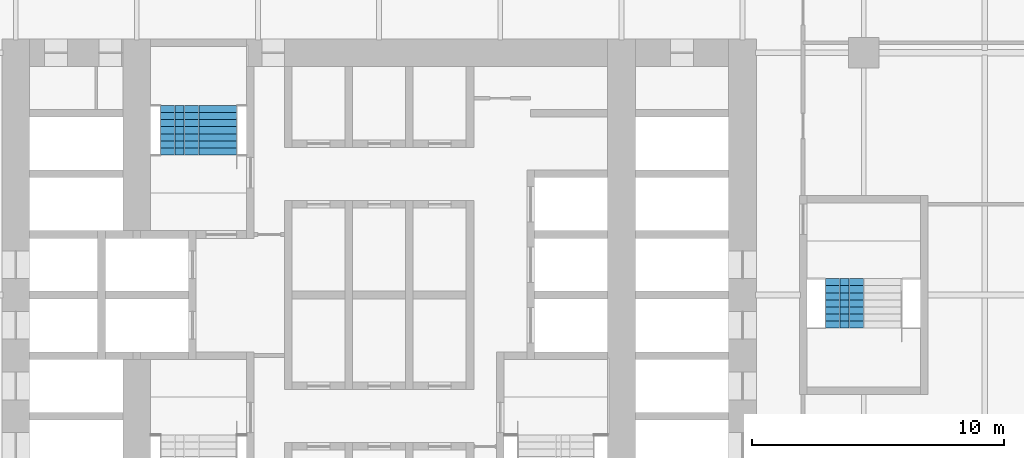
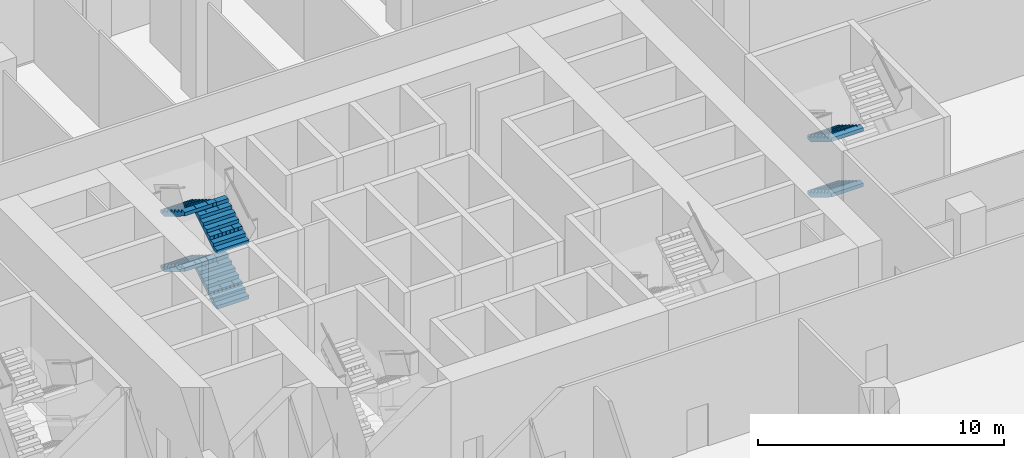
# One storey, part 26 of 30: 6 stair flights, 2 elements without a shape of their own.
"""IFC4 building model written with IfcOpenShell, lengths in metres."""

from ifc_helpers import new_model, si_unit, direction, frame, origin, place, context, subcontext, project, spatial, polyline, outline, extrude, material, type_object, element, aggregate, save


model = new_model("IFC4")

# Units and contexts
model_context = context("Model", 3, precision=1e-05, world=origin(), true_north=direction((0.0, 1.0)))
body_context = subcontext(model_context, "Body", "Model", "MODEL_VIEW")
ifc_project = project(units=[si_unit("LENGTHUNIT", "METRE"), si_unit("AREAUNIT", "SQUARE_METRE"), si_unit("VOLUMEUNIT", "CUBIC_METRE"), si_unit("PLANEANGLEUNIT", "RADIAN"), si_unit("MASSUNIT", "GRAM", prefix="KILO")], contexts=[model_context])

# Site, building, storey
site_placement = place(None, origin())
site = spatial("IfcSite", under=ifc_project, at=site_placement, CompositionType="ELEMENT")
building_placement = place(site_placement, origin())
building = spatial("IfcBuilding", under=site, at=building_placement, Name="Kolab Exchange Tower", CompositionType="ELEMENT")
storey_placement = place(building_placement, frame((0.0, 0.0, 38.89990234375)))
storey = spatial("IfcBuildingStorey", under=building, at=storey_placement, Name="L07", CompositionType="ELEMENT", Elevation=38.89990234375)

# Stair, stair flights
ifc_material = material(Name="Concrete C50/60", Category="concrete")
stair_type_1 = type_object("IfcStairType", Name="STAIR ST1 RISER 171.9", PredefinedType="DOUBLE_RETURN_STAIR", material=ifc_material)
stair_1_placement = place(storey_placement, origin())
stair_1 = element("IfcStair", 1, at=stair_1_placement, inside=storey, type_object=stair_type_1, Name="Stair 1", PredefinedType="DOUBLE_RETURN_STAIR")
stair_flight_type = type_object("IfcStairFlightType", Name="STAIR FLIGHT 1500 RISER 171.9", PredefinedType="STRAIGHT", material=ifc_material)
stair_flight_1_placement = place(storey_placement, frame((-6.389892578125, 5.550048828125, 0.0), z_axis=(0.0, 0.0, 1.0), x_axis=(0.0, 1.0, 0.0)))
stair_flight_1 = element("IfcStairFlight", 2, at=stair_flight_1_placement, type_object=stair_flight_type, Name="ST1 flight 1", NumberOfRisers=8, NumberOfTreads=7, PredefinedType="STRAIGHT", RiserHeight=0.171875, TreadLength=0.28, context=body_context, shape_type="SweptSolid", body=[
    extrude(outline(polyline([(0.0, 0.0), (0.0, 0.171875), (0.280029296875, 0.171875), (0.280029296875, 0.34375), (0.56005859375, 0.34375), (0.56005859375, 0.515625), (0.840087890625, 0.515625), (0.840087890625, 0.6875), (1.1201171875, 0.6875), (1.1201171875, 0.859375), (1.39990234375, 0.859375), (1.39990234375, 1.03125), (1.679931640625, 1.03125), (1.679931640625, 1.203125), (1.9599609375, 1.203125), (1.9599609375, 1.375), (1.9599609375, 1.02734375), (0.28662109375, 0.0), (0.0, 0.0)])), frame((0.0, 0.75, 0.0), z_axis=(0.0, -1.0, 0.0), x_axis=(1.0, 0.0, 0.0)), (0.0, 0.0, 1.0), 0.185791015625),
    extrude(outline(polyline([(0.0, 0.0), (0.0, 0.171875), (0.280029296875, 0.171875), (0.280029296875, 0.34375), (0.56005859375, 0.34375), (0.56005859375, 0.515625), (0.840087890625, 0.515625), (0.840087890625, 0.6875), (1.1201171875, 0.6875), (1.1201171875, 0.859375), (1.39990234375, 0.859375), (1.39990234375, 1.03125), (1.679931640625, 1.03125), (1.679931640625, 1.203125), (1.9599609375, 1.203125), (1.9599609375, 1.375), (1.9599609375, 1.02734375), (0.28662109375, 0.0), (0.0, 0.0)])), frame((0.0, 0.562255859375, 0.0), z_axis=(0.0, -1.0, 0.0), x_axis=(1.0, 0.0, 0.0)), (0.0, 0.0, 1.0), 0.185791015625),
    extrude(outline(polyline([(0.0, 0.0), (0.0, 0.171875), (0.280029296875, 0.171875), (0.280029296875, 0.34375), (0.56005859375, 0.34375), (0.56005859375, 0.515625), (0.840087890625, 0.515625), (0.840087890625, 0.6875), (1.1201171875, 0.6875), (1.1201171875, 0.859375), (1.39990234375, 0.859375), (1.39990234375, 1.03125), (1.679931640625, 1.03125), (1.679931640625, 1.203125), (1.9599609375, 1.203125), (1.9599609375, 1.375), (1.9599609375, 1.02734375), (0.28662109375, 0.0), (0.0, 0.0)])), frame((0.0, 0.37451171875, 0.0), z_axis=(0.0, -1.0, 0.0), x_axis=(1.0, 0.0, 0.0)), (0.0, 0.0, 1.0), 0.185791015625),
    extrude(outline(polyline([(0.0, 0.0), (0.0, 0.171875), (0.280029296875, 0.171875), (0.280029296875, 0.34375), (0.56005859375, 0.34375), (0.56005859375, 0.515625), (0.840087890625, 0.515625), (0.840087890625, 0.6875), (1.1201171875, 0.6875), (1.1201171875, 0.859375), (1.39990234375, 0.859375), (1.39990234375, 1.03125), (1.679931640625, 1.03125), (1.679931640625, 1.203125), (1.9599609375, 1.203125), (1.9599609375, 1.375), (1.9599609375, 1.02734375), (0.28662109375, 0.0), (0.0, 0.0)])), frame((0.0, 0.186767578125, 0.0), z_axis=(0.0, -1.0, 0.0), x_axis=(1.0, 0.0, 0.0)), (0.0, 0.0, 1.0), 0.185791015625),
    extrude(outline(polyline([(0.0, 0.0), (0.0, 0.171875), (0.280029296875, 0.171875), (0.280029296875, 0.34375), (0.56005859375, 0.34375), (0.56005859375, 0.515625), (0.840087890625, 0.515625), (0.840087890625, 0.6875), (1.1201171875, 0.6875), (1.1201171875, 0.859375), (1.39990234375, 0.859375), (1.39990234375, 1.03125), (1.679931640625, 1.03125), (1.679931640625, 1.203125), (1.9599609375, 1.203125), (1.9599609375, 1.375), (1.9599609375, 1.02734375), (0.28662109375, 0.0), (0.0, 0.0)])), frame((0.0, -0.0009765625, 0.0), z_axis=(0.0, -1.0, 0.0), x_axis=(1.0, 0.0, 0.0)), (0.0, 0.0, 1.0), 0.185791015625),
    extrude(outline(polyline([(0.0, 0.0), (0.0, 0.171875), (0.280029296875, 0.171875), (0.280029296875, 0.34375), (0.56005859375, 0.34375), (0.56005859375, 0.515625), (0.840087890625, 0.515625), (0.840087890625, 0.6875), (1.1201171875, 0.6875), (1.1201171875, 0.859375), (1.39990234375, 0.859375), (1.39990234375, 1.03125), (1.679931640625, 1.03125), (1.679931640625, 1.203125), (1.9599609375, 1.203125), (1.9599609375, 1.375), (1.9599609375, 1.02734375), (0.28662109375, 0.0), (0.0, 0.0)])), frame((0.0, -0.188720703125, 0.0), z_axis=(0.0, -1.0, 0.0), x_axis=(1.0, 0.0, 0.0)), (0.0, 0.0, 1.0), 0.185791015625),
    extrude(outline(polyline([(0.0, 0.0), (0.0, 0.171875), (0.280029296875, 0.171875), (0.280029296875, 0.34375), (0.56005859375, 0.34375), (0.56005859375, 0.515625), (0.840087890625, 0.515625), (0.840087890625, 0.6875), (1.1201171875, 0.6875), (1.1201171875, 0.859375), (1.39990234375, 0.859375), (1.39990234375, 1.03125), (1.679931640625, 1.03125), (1.679931640625, 1.203125), (1.9599609375, 1.203125), (1.9599609375, 1.375), (1.9599609375, 1.02734375), (0.28662109375, 0.0), (0.0, 0.0)])), frame((0.0, -0.37646484375, 0.0), z_axis=(0.0, -1.0, 0.0), x_axis=(1.0, 0.0, 0.0)), (0.0, 0.0, 1.0), 0.185791015625),
    extrude(outline(polyline([(0.0, 0.0), (0.0, 0.171875), (0.280029296875, 0.171875), (0.280029296875, 0.34375), (0.56005859375, 0.34375), (0.56005859375, 0.515625), (0.840087890625, 0.515625), (0.840087890625, 0.6875), (1.1201171875, 0.6875), (1.1201171875, 0.859375), (1.39990234375, 0.859375), (1.39990234375, 1.03125), (1.679931640625, 1.03125), (1.679931640625, 1.203125), (1.9599609375, 1.203125), (1.9599609375, 1.375), (1.9599609375, 1.02734375), (0.28662109375, 0.0), (0.0, 0.0)])), frame((0.0, -0.564208984375, 0.0), z_axis=(0.0, -1.0, 0.0), x_axis=(1.0, 0.0, 0.0)), (0.0, 0.0, 1.0), 0.185791015625),
])
stair_flight_2_placement = place(storey_placement, frame((-7.909912109375, 7.510009765625, 1.375), z_axis=(0.0, 0.0, 1.0), x_axis=(0.0, -1.0, 0.0)))
stair_flight_2 = element("IfcStairFlight", 3, at=stair_flight_2_placement, type_object=stair_flight_type, Name="ST1 flight 2", NumberOfRisers=8, NumberOfTreads=7, PredefinedType="STRAIGHT", RiserHeight=0.171875, TreadLength=0.28, context=body_context, shape_type="SweptSolid", body=[
    extrude(outline(polyline([(0.0, 0.0), (0.0, 0.171875), (0.280029296875, 0.171875), (0.280029296875, 0.34375), (0.56005859375, 0.34375), (0.56005859375, 0.515625), (0.840087890625, 0.515625), (0.840087890625, 0.6875), (1.1201171875, 0.6875), (1.1201171875, 0.859375), (1.39990234375, 0.859375), (1.39990234375, 1.03125), (1.679931640625, 1.03125), (1.679931640625, 1.203125), (1.9599609375, 1.203125), (1.9599609375, 1.375), (1.9599609375, 1.02734375), (0.28662109375, 0.0), (0.0, 0.0)])), frame((0.0, 0.75, 0.0), z_axis=(0.0, -1.0, 0.0), x_axis=(1.0, 0.0, 0.0)), (0.0, 0.0, 1.0), 0.185791015625),
    extrude(outline(polyline([(0.0, 0.0), (0.0, 0.171875), (0.280029296875, 0.171875), (0.280029296875, 0.34375), (0.56005859375, 0.34375), (0.56005859375, 0.515625), (0.840087890625, 0.515625), (0.840087890625, 0.6875), (1.1201171875, 0.6875), (1.1201171875, 0.859375), (1.39990234375, 0.859375), (1.39990234375, 1.03125), (1.679931640625, 1.03125), (1.679931640625, 1.203125), (1.9599609375, 1.203125), (1.9599609375, 1.375), (1.9599609375, 1.02734375), (0.28662109375, 0.0), (0.0, 0.0)])), frame((0.0, 0.562255859375, 0.0), z_axis=(0.0, -1.0, 0.0), x_axis=(1.0, 0.0, 0.0)), (0.0, 0.0, 1.0), 0.185791015625),
    extrude(outline(polyline([(0.0, 0.0), (0.0, 0.171875), (0.280029296875, 0.171875), (0.280029296875, 0.34375), (0.56005859375, 0.34375), (0.56005859375, 0.515625), (0.840087890625, 0.515625), (0.840087890625, 0.6875), (1.1201171875, 0.6875), (1.1201171875, 0.859375), (1.39990234375, 0.859375), (1.39990234375, 1.03125), (1.679931640625, 1.03125), (1.679931640625, 1.203125), (1.9599609375, 1.203125), (1.9599609375, 1.375), (1.9599609375, 1.02734375), (0.28662109375, 0.0), (0.0, 0.0)])), frame((0.0, 0.37451171875, 0.0), z_axis=(0.0, -1.0, 0.0), x_axis=(1.0, 0.0, 0.0)), (0.0, 0.0, 1.0), 0.185791015625),
    extrude(outline(polyline([(0.0, 0.0), (0.0, 0.171875), (0.280029296875, 0.171875), (0.280029296875, 0.34375), (0.56005859375, 0.34375), (0.56005859375, 0.515625), (0.840087890625, 0.515625), (0.840087890625, 0.6875), (1.1201171875, 0.6875), (1.1201171875, 0.859375), (1.39990234375, 0.859375), (1.39990234375, 1.03125), (1.679931640625, 1.03125), (1.679931640625, 1.203125), (1.9599609375, 1.203125), (1.9599609375, 1.375), (1.9599609375, 1.02734375), (0.28662109375, 0.0), (0.0, 0.0)])), frame((0.0, 0.186767578125, 0.0), z_axis=(0.0, -1.0, 0.0), x_axis=(1.0, 0.0, 0.0)), (0.0, 0.0, 1.0), 0.185791015625),
    extrude(outline(polyline([(0.0, 0.0), (0.0, 0.171875), (0.280029296875, 0.171875), (0.280029296875, 0.34375), (0.56005859375, 0.34375), (0.56005859375, 0.515625), (0.840087890625, 0.515625), (0.840087890625, 0.6875), (1.1201171875, 0.6875), (1.1201171875, 0.859375), (1.39990234375, 0.859375), (1.39990234375, 1.03125), (1.679931640625, 1.03125), (1.679931640625, 1.203125), (1.9599609375, 1.203125), (1.9599609375, 1.375), (1.9599609375, 1.02734375), (0.28662109375, 0.0), (0.0, 0.0)])), frame((0.0, -0.0009765625, 0.0), z_axis=(0.0, -1.0, 0.0), x_axis=(1.0, 0.0, 0.0)), (0.0, 0.0, 1.0), 0.185791015625),
    extrude(outline(polyline([(0.0, 0.0), (0.0, 0.171875), (0.280029296875, 0.171875), (0.280029296875, 0.34375), (0.56005859375, 0.34375), (0.56005859375, 0.515625), (0.840087890625, 0.515625), (0.840087890625, 0.6875), (1.1201171875, 0.6875), (1.1201171875, 0.859375), (1.39990234375, 0.859375), (1.39990234375, 1.03125), (1.679931640625, 1.03125), (1.679931640625, 1.203125), (1.9599609375, 1.203125), (1.9599609375, 1.375), (1.9599609375, 1.02734375), (0.28662109375, 0.0), (0.0, 0.0)])), frame((0.0, -0.188720703125, 0.0), z_axis=(0.0, -1.0, 0.0), x_axis=(1.0, 0.0, 0.0)), (0.0, 0.0, 1.0), 0.185791015625),
    extrude(outline(polyline([(0.0, 0.0), (0.0, 0.171875), (0.280029296875, 0.171875), (0.280029296875, 0.34375), (0.56005859375, 0.34375), (0.56005859375, 0.515625), (0.840087890625, 0.515625), (0.840087890625, 0.6875), (1.1201171875, 0.6875), (1.1201171875, 0.859375), (1.39990234375, 0.859375), (1.39990234375, 1.03125), (1.679931640625, 1.03125), (1.679931640625, 1.203125), (1.9599609375, 1.203125), (1.9599609375, 1.375), (1.9599609375, 1.02734375), (0.28662109375, 0.0), (0.0, 0.0)])), frame((0.0, -0.37646484375, 0.0), z_axis=(0.0, -1.0, 0.0), x_axis=(1.0, 0.0, 0.0)), (0.0, 0.0, 1.0), 0.185791015625),
    extrude(outline(polyline([(0.0, 0.0), (0.0, 0.171875), (0.280029296875, 0.171875), (0.280029296875, 0.34375), (0.56005859375, 0.34375), (0.56005859375, 0.515625), (0.840087890625, 0.515625), (0.840087890625, 0.6875), (1.1201171875, 0.6875), (1.1201171875, 0.859375), (1.39990234375, 0.859375), (1.39990234375, 1.03125), (1.679931640625, 1.03125), (1.679931640625, 1.203125), (1.9599609375, 1.203125), (1.9599609375, 1.375), (1.9599609375, 1.02734375), (0.28662109375, 0.0), (0.0, 0.0)])), frame((0.0, -0.564208984375, 0.0), z_axis=(0.0, -1.0, 0.0), x_axis=(1.0, 0.0, 0.0)), (0.0, 0.0, 1.0), 0.185791015625),
])
stair_flight_3_placement = place(storey_placement, frame((-6.389892578125, 5.550048828125, 2.75), z_axis=(0.0, 0.0, 1.0), x_axis=(0.0, 1.0, 0.0)))
stair_flight_3 = element("IfcStairFlight", 4, at=stair_flight_3_placement, type_object=stair_flight_type, Name="ST1 flight 3", NumberOfRisers=8, NumberOfTreads=7, PredefinedType="STRAIGHT", RiserHeight=0.171875, TreadLength=0.28, context=body_context, shape_type="SweptSolid", body=[
    extrude(outline(polyline([(0.0, 0.0), (0.0, 0.171875), (0.280029296875, 0.171875), (0.280029296875, 0.34375), (0.56005859375, 0.34375), (0.56005859375, 0.515625), (0.840087890625, 0.515625), (0.840087890625, 0.6875), (1.1201171875, 0.6875), (1.1201171875, 0.859375), (1.39990234375, 0.859375), (1.39990234375, 1.03125), (1.679931640625, 1.03125), (1.679931640625, 1.203125), (1.9599609375, 1.203125), (1.9599609375, 1.375), (1.9599609375, 1.02734375), (0.28662109375, 0.0), (0.0, 0.0)])), frame((0.0, 0.75, 0.0), z_axis=(0.0, -1.0, 0.0), x_axis=(1.0, 0.0, 0.0)), (0.0, 0.0, 1.0), 0.185791015625),
    extrude(outline(polyline([(0.0, 0.0), (0.0, 0.171875), (0.280029296875, 0.171875), (0.280029296875, 0.34375), (0.56005859375, 0.34375), (0.56005859375, 0.515625), (0.840087890625, 0.515625), (0.840087890625, 0.6875), (1.1201171875, 0.6875), (1.1201171875, 0.859375), (1.39990234375, 0.859375), (1.39990234375, 1.03125), (1.679931640625, 1.03125), (1.679931640625, 1.203125), (1.9599609375, 1.203125), (1.9599609375, 1.375), (1.9599609375, 1.02734375), (0.28662109375, 0.0), (0.0, 0.0)])), frame((0.0, 0.562255859375, 0.0), z_axis=(0.0, -1.0, 0.0), x_axis=(1.0, 0.0, 0.0)), (0.0, 0.0, 1.0), 0.185791015625),
    extrude(outline(polyline([(0.0, 0.0), (0.0, 0.171875), (0.280029296875, 0.171875), (0.280029296875, 0.34375), (0.56005859375, 0.34375), (0.56005859375, 0.515625), (0.840087890625, 0.515625), (0.840087890625, 0.6875), (1.1201171875, 0.6875), (1.1201171875, 0.859375), (1.39990234375, 0.859375), (1.39990234375, 1.03125), (1.679931640625, 1.03125), (1.679931640625, 1.203125), (1.9599609375, 1.203125), (1.9599609375, 1.375), (1.9599609375, 1.02734375), (0.28662109375, 0.0), (0.0, 0.0)])), frame((0.0, 0.37451171875, 0.0), z_axis=(0.0, -1.0, 0.0), x_axis=(1.0, 0.0, 0.0)), (0.0, 0.0, 1.0), 0.185791015625),
    extrude(outline(polyline([(0.0, 0.0), (0.0, 0.171875), (0.280029296875, 0.171875), (0.280029296875, 0.34375), (0.56005859375, 0.34375), (0.56005859375, 0.515625), (0.840087890625, 0.515625), (0.840087890625, 0.6875), (1.1201171875, 0.6875), (1.1201171875, 0.859375), (1.39990234375, 0.859375), (1.39990234375, 1.03125), (1.679931640625, 1.03125), (1.679931640625, 1.203125), (1.9599609375, 1.203125), (1.9599609375, 1.375), (1.9599609375, 1.02734375), (0.28662109375, 0.0), (0.0, 0.0)])), frame((0.0, 0.186767578125, 0.0), z_axis=(0.0, -1.0, 0.0), x_axis=(1.0, 0.0, 0.0)), (0.0, 0.0, 1.0), 0.185791015625),
    extrude(outline(polyline([(0.0, 0.0), (0.0, 0.171875), (0.280029296875, 0.171875), (0.280029296875, 0.34375), (0.56005859375, 0.34375), (0.56005859375, 0.515625), (0.840087890625, 0.515625), (0.840087890625, 0.6875), (1.1201171875, 0.6875), (1.1201171875, 0.859375), (1.39990234375, 0.859375), (1.39990234375, 1.03125), (1.679931640625, 1.03125), (1.679931640625, 1.203125), (1.9599609375, 1.203125), (1.9599609375, 1.375), (1.9599609375, 1.02734375), (0.28662109375, 0.0), (0.0, 0.0)])), frame((0.0, -0.0009765625, 0.0), z_axis=(0.0, -1.0, 0.0), x_axis=(1.0, 0.0, 0.0)), (0.0, 0.0, 1.0), 0.185791015625),
    extrude(outline(polyline([(0.0, 0.0), (0.0, 0.171875), (0.280029296875, 0.171875), (0.280029296875, 0.34375), (0.56005859375, 0.34375), (0.56005859375, 0.515625), (0.840087890625, 0.515625), (0.840087890625, 0.6875), (1.1201171875, 0.6875), (1.1201171875, 0.859375), (1.39990234375, 0.859375), (1.39990234375, 1.03125), (1.679931640625, 1.03125), (1.679931640625, 1.203125), (1.9599609375, 1.203125), (1.9599609375, 1.375), (1.9599609375, 1.02734375), (0.28662109375, 0.0), (0.0, 0.0)])), frame((0.0, -0.188720703125, 0.0), z_axis=(0.0, -1.0, 0.0), x_axis=(1.0, 0.0, 0.0)), (0.0, 0.0, 1.0), 0.185791015625),
    extrude(outline(polyline([(0.0, 0.0), (0.0, 0.171875), (0.280029296875, 0.171875), (0.280029296875, 0.34375), (0.56005859375, 0.34375), (0.56005859375, 0.515625), (0.840087890625, 0.515625), (0.840087890625, 0.6875), (1.1201171875, 0.6875), (1.1201171875, 0.859375), (1.39990234375, 0.859375), (1.39990234375, 1.03125), (1.679931640625, 1.03125), (1.679931640625, 1.203125), (1.9599609375, 1.203125), (1.9599609375, 1.375), (1.9599609375, 1.02734375), (0.28662109375, 0.0), (0.0, 0.0)])), frame((0.0, -0.37646484375, 0.0), z_axis=(0.0, -1.0, 0.0), x_axis=(1.0, 0.0, 0.0)), (0.0, 0.0, 1.0), 0.185791015625),
    extrude(outline(polyline([(0.0, 0.0), (0.0, 0.171875), (0.280029296875, 0.171875), (0.280029296875, 0.34375), (0.56005859375, 0.34375), (0.56005859375, 0.515625), (0.840087890625, 0.515625), (0.840087890625, 0.6875), (1.1201171875, 0.6875), (1.1201171875, 0.859375), (1.39990234375, 0.859375), (1.39990234375, 1.03125), (1.679931640625, 1.03125), (1.679931640625, 1.203125), (1.9599609375, 1.203125), (1.9599609375, 1.375), (1.9599609375, 1.02734375), (0.28662109375, 0.0), (0.0, 0.0)])), frame((0.0, -0.564208984375, 0.0), z_axis=(0.0, -1.0, 0.0), x_axis=(1.0, 0.0, 0.0)), (0.0, 0.0, 1.0), 0.185791015625),
])
stair_flight_4_placement = place(storey_placement, frame((-7.909912109375, 7.510009765625, 4.125), z_axis=(0.0, 0.0, 1.0), x_axis=(0.0, -1.0, 0.0)))
stair_flight_4 = element("IfcStairFlight", 5, at=stair_flight_4_placement, type_object=stair_flight_type, Name="ST1 flight 4", NumberOfRisers=8, NumberOfTreads=7, PredefinedType="STRAIGHT", RiserHeight=0.171875, TreadLength=0.28, context=body_context, shape_type="SweptSolid", body=[
    extrude(outline(polyline([(0.0, 0.0), (0.0, 0.171875), (0.280029296875, 0.171875), (0.280029296875, 0.34375), (0.56005859375, 0.34375), (0.56005859375, 0.515625), (0.840087890625, 0.515625), (0.840087890625, 0.6875), (1.1201171875, 0.6875), (1.1201171875, 0.859375), (1.39990234375, 0.859375), (1.39990234375, 1.03125), (1.679931640625, 1.03125), (1.679931640625, 1.203125), (1.9599609375, 1.203125), (1.9599609375, 1.375), (1.9599609375, 1.02734375), (0.28662109375, 0.0), (0.0, 0.0)])), frame((0.0, 0.75, 0.0), z_axis=(0.0, -1.0, 0.0), x_axis=(1.0, 0.0, 0.0)), (0.0, 0.0, 1.0), 0.185791015625),
    extrude(outline(polyline([(0.0, 0.0), (0.0, 0.171875), (0.280029296875, 0.171875), (0.280029296875, 0.34375), (0.56005859375, 0.34375), (0.56005859375, 0.515625), (0.840087890625, 0.515625), (0.840087890625, 0.6875), (1.1201171875, 0.6875), (1.1201171875, 0.859375), (1.39990234375, 0.859375), (1.39990234375, 1.03125), (1.679931640625, 1.03125), (1.679931640625, 1.203125), (1.9599609375, 1.203125), (1.9599609375, 1.375), (1.9599609375, 1.02734375), (0.28662109375, 0.0), (0.0, 0.0)])), frame((0.0, 0.562255859375, 0.0), z_axis=(0.0, -1.0, 0.0), x_axis=(1.0, 0.0, 0.0)), (0.0, 0.0, 1.0), 0.185791015625),
    extrude(outline(polyline([(0.0, 0.0), (0.0, 0.171875), (0.280029296875, 0.171875), (0.280029296875, 0.34375), (0.56005859375, 0.34375), (0.56005859375, 0.515625), (0.840087890625, 0.515625), (0.840087890625, 0.6875), (1.1201171875, 0.6875), (1.1201171875, 0.859375), (1.39990234375, 0.859375), (1.39990234375, 1.03125), (1.679931640625, 1.03125), (1.679931640625, 1.203125), (1.9599609375, 1.203125), (1.9599609375, 1.375), (1.9599609375, 1.02734375), (0.28662109375, 0.0), (0.0, 0.0)])), frame((0.0, 0.37451171875, 0.0), z_axis=(0.0, -1.0, 0.0), x_axis=(1.0, 0.0, 0.0)), (0.0, 0.0, 1.0), 0.185791015625),
    extrude(outline(polyline([(0.0, 0.0), (0.0, 0.171875), (0.280029296875, 0.171875), (0.280029296875, 0.34375), (0.56005859375, 0.34375), (0.56005859375, 0.515625), (0.840087890625, 0.515625), (0.840087890625, 0.6875), (1.1201171875, 0.6875), (1.1201171875, 0.859375), (1.39990234375, 0.859375), (1.39990234375, 1.03125), (1.679931640625, 1.03125), (1.679931640625, 1.203125), (1.9599609375, 1.203125), (1.9599609375, 1.375), (1.9599609375, 1.02734375), (0.28662109375, 0.0), (0.0, 0.0)])), frame((0.0, 0.186767578125, 0.0), z_axis=(0.0, -1.0, 0.0), x_axis=(1.0, 0.0, 0.0)), (0.0, 0.0, 1.0), 0.185791015625),
    extrude(outline(polyline([(0.0, 0.0), (0.0, 0.171875), (0.280029296875, 0.171875), (0.280029296875, 0.34375), (0.56005859375, 0.34375), (0.56005859375, 0.515625), (0.840087890625, 0.515625), (0.840087890625, 0.6875), (1.1201171875, 0.6875), (1.1201171875, 0.859375), (1.39990234375, 0.859375), (1.39990234375, 1.03125), (1.679931640625, 1.03125), (1.679931640625, 1.203125), (1.9599609375, 1.203125), (1.9599609375, 1.375), (1.9599609375, 1.02734375), (0.28662109375, 0.0), (0.0, 0.0)])), frame((0.0, -0.0009765625, 0.0), z_axis=(0.0, -1.0, 0.0), x_axis=(1.0, 0.0, 0.0)), (0.0, 0.0, 1.0), 0.185791015625),
    extrude(outline(polyline([(0.0, 0.0), (0.0, 0.171875), (0.280029296875, 0.171875), (0.280029296875, 0.34375), (0.56005859375, 0.34375), (0.56005859375, 0.515625), (0.840087890625, 0.515625), (0.840087890625, 0.6875), (1.1201171875, 0.6875), (1.1201171875, 0.859375), (1.39990234375, 0.859375), (1.39990234375, 1.03125), (1.679931640625, 1.03125), (1.679931640625, 1.203125), (1.9599609375, 1.203125), (1.9599609375, 1.375), (1.9599609375, 1.02734375), (0.28662109375, 0.0), (0.0, 0.0)])), frame((0.0, -0.188720703125, 0.0), z_axis=(0.0, -1.0, 0.0), x_axis=(1.0, 0.0, 0.0)), (0.0, 0.0, 1.0), 0.185791015625),
    extrude(outline(polyline([(0.0, 0.0), (0.0, 0.171875), (0.280029296875, 0.171875), (0.280029296875, 0.34375), (0.56005859375, 0.34375), (0.56005859375, 0.515625), (0.840087890625, 0.515625), (0.840087890625, 0.6875), (1.1201171875, 0.6875), (1.1201171875, 0.859375), (1.39990234375, 0.859375), (1.39990234375, 1.03125), (1.679931640625, 1.03125), (1.679931640625, 1.203125), (1.9599609375, 1.203125), (1.9599609375, 1.375), (1.9599609375, 1.02734375), (0.28662109375, 0.0), (0.0, 0.0)])), frame((0.0, -0.37646484375, 0.0), z_axis=(0.0, -1.0, 0.0), x_axis=(1.0, 0.0, 0.0)), (0.0, 0.0, 1.0), 0.185791015625),
    extrude(outline(polyline([(0.0, 0.0), (0.0, 0.171875), (0.280029296875, 0.171875), (0.280029296875, 0.34375), (0.56005859375, 0.34375), (0.56005859375, 0.515625), (0.840087890625, 0.515625), (0.840087890625, 0.6875), (1.1201171875, 0.6875), (1.1201171875, 0.859375), (1.39990234375, 0.859375), (1.39990234375, 1.03125), (1.679931640625, 1.03125), (1.679931640625, 1.203125), (1.9599609375, 1.203125), (1.9599609375, 1.375), (1.9599609375, 1.02734375), (0.28662109375, 0.0), (0.0, 0.0)])), frame((0.0, -0.564208984375, 0.0), z_axis=(0.0, -1.0, 0.0), x_axis=(1.0, 0.0, 0.0)), (0.0, 0.0, 1.0), 0.185791015625),
])
aggregate(stair_1, [stair_flight_1, stair_flight_2, stair_flight_3, stair_flight_4])

stair_type_2 = type_object("IfcStairType", Name="STAIR ST4 RISER 171.9", PredefinedType="DOUBLE_RETURN_STAIR", material=ifc_material)
stair_2_placement = place(storey_placement, origin())
stair_2 = element("IfcStair", 6, at=stair_2_placement, inside=storey, type_object=stair_type_2, Name="Stair 4", PredefinedType="DOUBLE_RETURN_STAIR")
stair_flight_5_placement = place(storey_placement, frame((18.43994140625, 0.64990234375, 0.0), z_axis=(0.0, 0.0, 1.0), x_axis=(0.0, -1.0, 0.0)))
stair_flight_5 = element("IfcStairFlight", 7, at=stair_flight_5_placement, type_object=stair_flight_type, Name="ST4 flight 1", NumberOfRisers=8, NumberOfTreads=7, PredefinedType="STRAIGHT", RiserHeight=0.171875, TreadLength=0.28, context=body_context, shape_type="SweptSolid", body=[
    extrude(outline(polyline([(0.0, 0.0), (0.0, 0.171875), (0.280029296875, 0.171875), (0.280029296875, 0.34375), (0.56005859375, 0.34375), (0.56005859375, 0.515625), (0.840087890625, 0.515625), (0.840087890625, 0.6875), (1.1201171875, 0.6875), (1.1201171875, 0.859375), (1.39990234375, 0.859375), (1.39990234375, 1.03125), (1.679931640625, 1.03125), (1.679931640625, 1.203125), (1.9599609375, 1.203125), (1.9599609375, 1.375), (1.9599609375, 1.02734375), (0.28662109375, 0.0), (0.0, 0.0)])), frame((0.0, 0.75, 0.0), z_axis=(0.0, -1.0, 0.0), x_axis=(1.0, 0.0, 0.0)), (0.0, 0.0, 1.0), 0.185791015625),
    extrude(outline(polyline([(0.0, 0.0), (0.0, 0.171875), (0.280029296875, 0.171875), (0.280029296875, 0.34375), (0.56005859375, 0.34375), (0.56005859375, 0.515625), (0.840087890625, 0.515625), (0.840087890625, 0.6875), (1.1201171875, 0.6875), (1.1201171875, 0.859375), (1.39990234375, 0.859375), (1.39990234375, 1.03125), (1.679931640625, 1.03125), (1.679931640625, 1.203125), (1.9599609375, 1.203125), (1.9599609375, 1.375), (1.9599609375, 1.02734375), (0.28662109375, 0.0), (0.0, 0.0)])), frame((0.0, 0.562255859375, 0.0), z_axis=(0.0, -1.0, 0.0), x_axis=(1.0, 0.0, 0.0)), (0.0, 0.0, 1.0), 0.185791015625),
    extrude(outline(polyline([(0.0, 0.0), (0.0, 0.171875), (0.280029296875, 0.171875), (0.280029296875, 0.34375), (0.56005859375, 0.34375), (0.56005859375, 0.515625), (0.840087890625, 0.515625), (0.840087890625, 0.6875), (1.1201171875, 0.6875), (1.1201171875, 0.859375), (1.39990234375, 0.859375), (1.39990234375, 1.03125), (1.679931640625, 1.03125), (1.679931640625, 1.203125), (1.9599609375, 1.203125), (1.9599609375, 1.375), (1.9599609375, 1.02734375), (0.28662109375, 0.0), (0.0, 0.0)])), frame((0.0, 0.37451171875, 0.0), z_axis=(0.0, -1.0, 0.0), x_axis=(1.0, 0.0, 0.0)), (0.0, 0.0, 1.0), 0.185791015625),
    extrude(outline(polyline([(0.0, 0.0), (0.0, 0.171875), (0.280029296875, 0.171875), (0.280029296875, 0.34375), (0.56005859375, 0.34375), (0.56005859375, 0.515625), (0.840087890625, 0.515625), (0.840087890625, 0.6875), (1.1201171875, 0.6875), (1.1201171875, 0.859375), (1.39990234375, 0.859375), (1.39990234375, 1.03125), (1.679931640625, 1.03125), (1.679931640625, 1.203125), (1.9599609375, 1.203125), (1.9599609375, 1.375), (1.9599609375, 1.02734375), (0.28662109375, 0.0), (0.0, 0.0)])), frame((0.0, 0.186767578125, 0.0), z_axis=(0.0, -1.0, 0.0), x_axis=(1.0, 0.0, 0.0)), (0.0, 0.0, 1.0), 0.185791015625),
    extrude(outline(polyline([(0.0, 0.0), (0.0, 0.171875), (0.280029296875, 0.171875), (0.280029296875, 0.34375), (0.56005859375, 0.34375), (0.56005859375, 0.515625), (0.840087890625, 0.515625), (0.840087890625, 0.6875), (1.1201171875, 0.6875), (1.1201171875, 0.859375), (1.39990234375, 0.859375), (1.39990234375, 1.03125), (1.679931640625, 1.03125), (1.679931640625, 1.203125), (1.9599609375, 1.203125), (1.9599609375, 1.375), (1.9599609375, 1.02734375), (0.28662109375, 0.0), (0.0, 0.0)])), frame((0.0, -0.0009765625, 0.0), z_axis=(0.0, -1.0, 0.0), x_axis=(1.0, 0.0, 0.0)), (0.0, 0.0, 1.0), 0.185791015625),
    extrude(outline(polyline([(0.0, 0.0), (0.0, 0.171875), (0.280029296875, 0.171875), (0.280029296875, 0.34375), (0.56005859375, 0.34375), (0.56005859375, 0.515625), (0.840087890625, 0.515625), (0.840087890625, 0.6875), (1.1201171875, 0.6875), (1.1201171875, 0.859375), (1.39990234375, 0.859375), (1.39990234375, 1.03125), (1.679931640625, 1.03125), (1.679931640625, 1.203125), (1.9599609375, 1.203125), (1.9599609375, 1.375), (1.9599609375, 1.02734375), (0.28662109375, 0.0), (0.0, 0.0)])), frame((0.0, -0.188720703125, 0.0), z_axis=(0.0, -1.0, 0.0), x_axis=(1.0, 0.0, 0.0)), (0.0, 0.0, 1.0), 0.185791015625),
    extrude(outline(polyline([(0.0, 0.0), (0.0, 0.171875), (0.280029296875, 0.171875), (0.280029296875, 0.34375), (0.56005859375, 0.34375), (0.56005859375, 0.515625), (0.840087890625, 0.515625), (0.840087890625, 0.6875), (1.1201171875, 0.6875), (1.1201171875, 0.859375), (1.39990234375, 0.859375), (1.39990234375, 1.03125), (1.679931640625, 1.03125), (1.679931640625, 1.203125), (1.9599609375, 1.203125), (1.9599609375, 1.375), (1.9599609375, 1.02734375), (0.28662109375, 0.0), (0.0, 0.0)])), frame((0.0, -0.37646484375, 0.0), z_axis=(0.0, -1.0, 0.0), x_axis=(1.0, 0.0, 0.0)), (0.0, 0.0, 1.0), 0.185791015625),
    extrude(outline(polyline([(0.0, 0.0), (0.0, 0.171875), (0.280029296875, 0.171875), (0.280029296875, 0.34375), (0.56005859375, 0.34375), (0.56005859375, 0.515625), (0.840087890625, 0.515625), (0.840087890625, 0.6875), (1.1201171875, 0.6875), (1.1201171875, 0.859375), (1.39990234375, 0.859375), (1.39990234375, 1.03125), (1.679931640625, 1.03125), (1.679931640625, 1.203125), (1.9599609375, 1.203125), (1.9599609375, 1.375), (1.9599609375, 1.02734375), (0.28662109375, 0.0), (0.0, 0.0)])), frame((0.0, -0.564208984375, 0.0), z_axis=(0.0, -1.0, 0.0), x_axis=(1.0, 0.0, 0.0)), (0.0, 0.0, 1.0), 0.185791015625),
])
stair_flight_6_placement = place(storey_placement, frame((18.43994140625, 0.64990234375, 2.75), z_axis=(0.0, 0.0, 1.0), x_axis=(0.0, -1.0, 0.0)))
stair_flight_6 = element("IfcStairFlight", 8, at=stair_flight_6_placement, type_object=stair_flight_type, Name="ST4 flight 3", NumberOfRisers=8, NumberOfTreads=7, PredefinedType="STRAIGHT", RiserHeight=0.171875, TreadLength=0.28, context=body_context, shape_type="SweptSolid", body=[
    extrude(outline(polyline([(0.0, 0.0), (0.0, 0.171875), (0.280029296875, 0.171875), (0.280029296875, 0.34375), (0.56005859375, 0.34375), (0.56005859375, 0.515625), (0.840087890625, 0.515625), (0.840087890625, 0.6875), (1.1201171875, 0.6875), (1.1201171875, 0.859375), (1.39990234375, 0.859375), (1.39990234375, 1.03125), (1.679931640625, 1.03125), (1.679931640625, 1.203125), (1.9599609375, 1.203125), (1.9599609375, 1.375), (1.9599609375, 1.02734375), (0.28662109375, 0.0), (0.0, 0.0)])), frame((0.0, 0.75, 0.0), z_axis=(0.0, -1.0, 0.0), x_axis=(1.0, 0.0, 0.0)), (0.0, 0.0, 1.0), 0.185791015625),
    extrude(outline(polyline([(0.0, 0.0), (0.0, 0.171875), (0.280029296875, 0.171875), (0.280029296875, 0.34375), (0.56005859375, 0.34375), (0.56005859375, 0.515625), (0.840087890625, 0.515625), (0.840087890625, 0.6875), (1.1201171875, 0.6875), (1.1201171875, 0.859375), (1.39990234375, 0.859375), (1.39990234375, 1.03125), (1.679931640625, 1.03125), (1.679931640625, 1.203125), (1.9599609375, 1.203125), (1.9599609375, 1.375), (1.9599609375, 1.02734375), (0.28662109375, 0.0), (0.0, 0.0)])), frame((0.0, 0.562255859375, 0.0), z_axis=(0.0, -1.0, 0.0), x_axis=(1.0, 0.0, 0.0)), (0.0, 0.0, 1.0), 0.185791015625),
    extrude(outline(polyline([(0.0, 0.0), (0.0, 0.171875), (0.280029296875, 0.171875), (0.280029296875, 0.34375), (0.56005859375, 0.34375), (0.56005859375, 0.515625), (0.840087890625, 0.515625), (0.840087890625, 0.6875), (1.1201171875, 0.6875), (1.1201171875, 0.859375), (1.39990234375, 0.859375), (1.39990234375, 1.03125), (1.679931640625, 1.03125), (1.679931640625, 1.203125), (1.9599609375, 1.203125), (1.9599609375, 1.375), (1.9599609375, 1.02734375), (0.28662109375, 0.0), (0.0, 0.0)])), frame((0.0, 0.37451171875, 0.0), z_axis=(0.0, -1.0, 0.0), x_axis=(1.0, 0.0, 0.0)), (0.0, 0.0, 1.0), 0.185791015625),
    extrude(outline(polyline([(0.0, 0.0), (0.0, 0.171875), (0.280029296875, 0.171875), (0.280029296875, 0.34375), (0.56005859375, 0.34375), (0.56005859375, 0.515625), (0.840087890625, 0.515625), (0.840087890625, 0.6875), (1.1201171875, 0.6875), (1.1201171875, 0.859375), (1.39990234375, 0.859375), (1.39990234375, 1.03125), (1.679931640625, 1.03125), (1.679931640625, 1.203125), (1.9599609375, 1.203125), (1.9599609375, 1.375), (1.9599609375, 1.02734375), (0.28662109375, 0.0), (0.0, 0.0)])), frame((0.0, 0.186767578125, 0.0), z_axis=(0.0, -1.0, 0.0), x_axis=(1.0, 0.0, 0.0)), (0.0, 0.0, 1.0), 0.185791015625),
    extrude(outline(polyline([(0.0, 0.0), (0.0, 0.171875), (0.280029296875, 0.171875), (0.280029296875, 0.34375), (0.56005859375, 0.34375), (0.56005859375, 0.515625), (0.840087890625, 0.515625), (0.840087890625, 0.6875), (1.1201171875, 0.6875), (1.1201171875, 0.859375), (1.39990234375, 0.859375), (1.39990234375, 1.03125), (1.679931640625, 1.03125), (1.679931640625, 1.203125), (1.9599609375, 1.203125), (1.9599609375, 1.375), (1.9599609375, 1.02734375), (0.28662109375, 0.0), (0.0, 0.0)])), frame((0.0, -0.0009765625, 0.0), z_axis=(0.0, -1.0, 0.0), x_axis=(1.0, 0.0, 0.0)), (0.0, 0.0, 1.0), 0.185791015625),
    extrude(outline(polyline([(0.0, 0.0), (0.0, 0.171875), (0.280029296875, 0.171875), (0.280029296875, 0.34375), (0.56005859375, 0.34375), (0.56005859375, 0.515625), (0.840087890625, 0.515625), (0.840087890625, 0.6875), (1.1201171875, 0.6875), (1.1201171875, 0.859375), (1.39990234375, 0.859375), (1.39990234375, 1.03125), (1.679931640625, 1.03125), (1.679931640625, 1.203125), (1.9599609375, 1.203125), (1.9599609375, 1.375), (1.9599609375, 1.02734375), (0.28662109375, 0.0), (0.0, 0.0)])), frame((0.0, -0.188720703125, 0.0), z_axis=(0.0, -1.0, 0.0), x_axis=(1.0, 0.0, 0.0)), (0.0, 0.0, 1.0), 0.185791015625),
    extrude(outline(polyline([(0.0, 0.0), (0.0, 0.171875), (0.280029296875, 0.171875), (0.280029296875, 0.34375), (0.56005859375, 0.34375), (0.56005859375, 0.515625), (0.840087890625, 0.515625), (0.840087890625, 0.6875), (1.1201171875, 0.6875), (1.1201171875, 0.859375), (1.39990234375, 0.859375), (1.39990234375, 1.03125), (1.679931640625, 1.03125), (1.679931640625, 1.203125), (1.9599609375, 1.203125), (1.9599609375, 1.375), (1.9599609375, 1.02734375), (0.28662109375, 0.0), (0.0, 0.0)])), frame((0.0, -0.37646484375, 0.0), z_axis=(0.0, -1.0, 0.0), x_axis=(1.0, 0.0, 0.0)), (0.0, 0.0, 1.0), 0.185791015625),
    extrude(outline(polyline([(0.0, 0.0), (0.0, 0.171875), (0.280029296875, 0.171875), (0.280029296875, 0.34375), (0.56005859375, 0.34375), (0.56005859375, 0.515625), (0.840087890625, 0.515625), (0.840087890625, 0.6875), (1.1201171875, 0.6875), (1.1201171875, 0.859375), (1.39990234375, 0.859375), (1.39990234375, 1.03125), (1.679931640625, 1.03125), (1.679931640625, 1.203125), (1.9599609375, 1.203125), (1.9599609375, 1.375), (1.9599609375, 1.02734375), (0.28662109375, 0.0), (0.0, 0.0)])), frame((0.0, -0.564208984375, 0.0), z_axis=(0.0, -1.0, 0.0), x_axis=(1.0, 0.0, 0.0)), (0.0, 0.0, 1.0), 0.185791015625),
])
aggregate(stair_2, [stair_flight_5, stair_flight_6])

save(model, "model.ifc")
